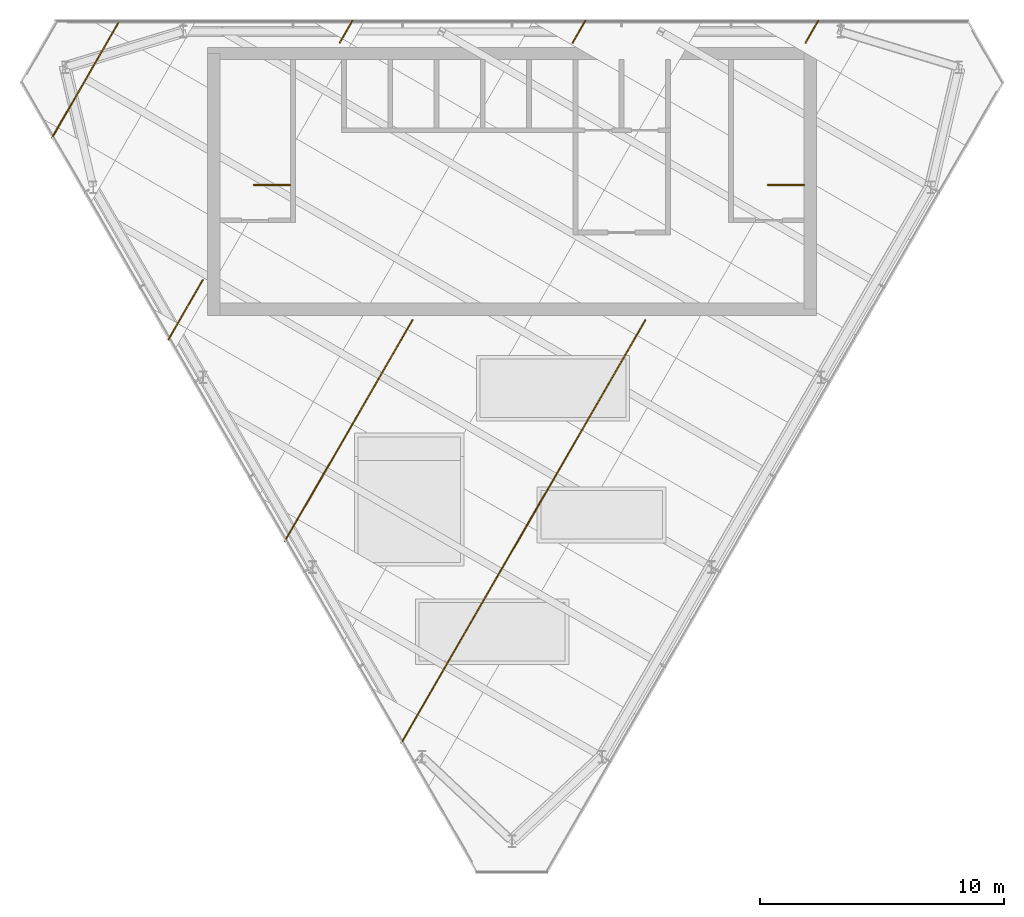
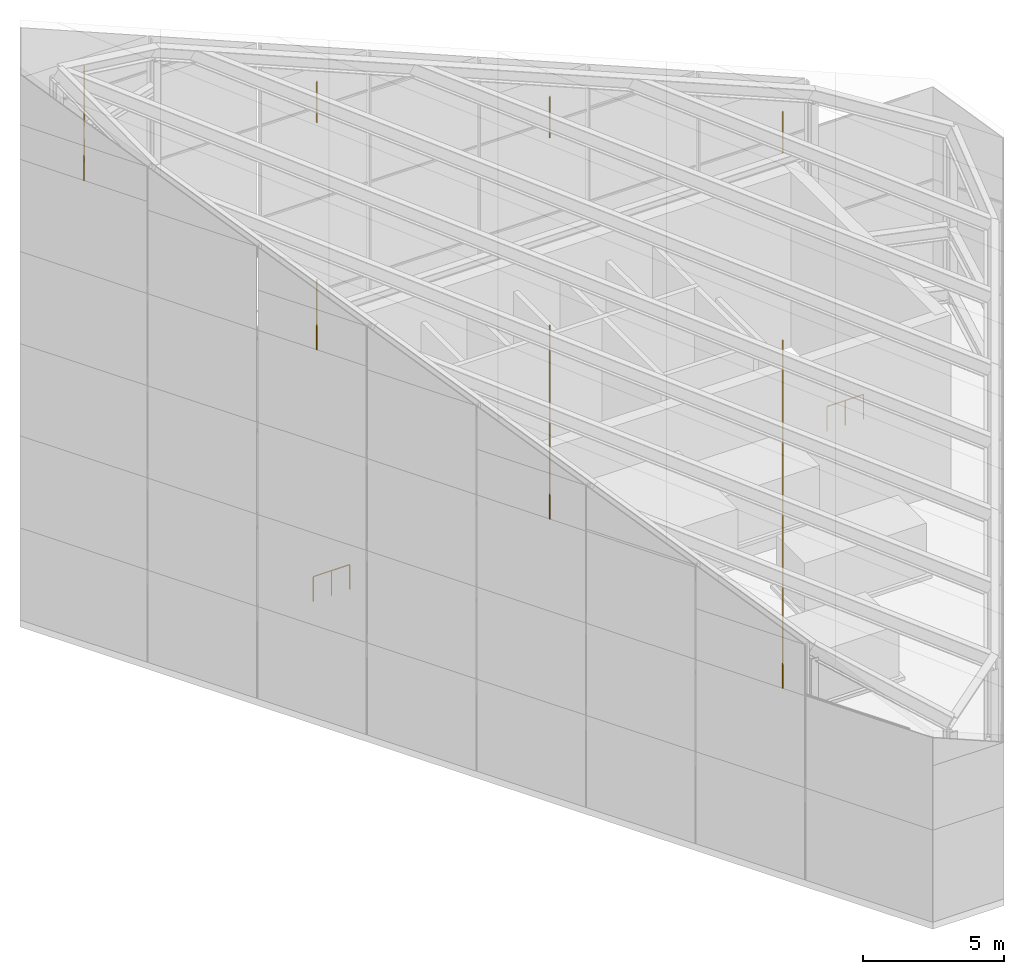
# One storey, part 15 of 16: 9 railings.
"""IFC4 building model written with IfcOpenShell, lengths in metres."""

from ifc_helpers import new_model, si_unit, direction, frame, origin, origin_2d, place, context, subcontext, project, spatial, circle, extrude, material, type_object, element, save


model = new_model("IFC4")

# Units and contexts
model_context = context("Model", 3, precision=1e-05, world=origin(), true_north=direction((0.0, 1.0)))
body_context = subcontext(model_context, "Body", "Model", "MODEL_VIEW")
ifc_project = project(units=[si_unit("LENGTHUNIT", "METRE"), si_unit("AREAUNIT", "SQUARE_METRE"), si_unit("VOLUMEUNIT", "CUBIC_METRE"), si_unit("PLANEANGLEUNIT", "RADIAN"), si_unit("MASSUNIT", "GRAM", prefix="KILO")], contexts=[model_context])

# Site, building, storey
site_placement = place(None, origin())
site = spatial("IfcSite", under=ifc_project, at=site_placement, CompositionType="ELEMENT")
building_placement = place(site_placement, origin())
building = spatial("IfcBuilding", under=site, at=building_placement, Name="Altiplano Prism Tower", CompositionType="ELEMENT")
storey_placement = place(building_placement, frame((0.0, 0.0, 358.0)))
storey = spatial("IfcBuildingStorey", under=building, at=storey_placement, Name="Crown", CompositionType="ELEMENT", Elevation=358.0)

# Railings
ifc_material = material(Name="Steel S355", Category="steel")
railing_type_1 = type_object("IfcRailingType", Name="Plant platform guard 1100", PredefinedType="GUARDRAIL", material=ifc_material)
railing_1_placement = place(storey_placement, frame((97.578857421875, 105.0, 8.0)))
element("IfcRailing", 1, at=railing_1_placement, inside=storey, type_object=railing_type_1, Name="Plant platform guard 2", PredefinedType="GUARDRAIL", context=body_context, shape_type="SweptSolid", body=[
    extrude(circle(Radius=0.02490234375, at=origin_2d()), frame((0.0, 0.0, 1.0751953125), z_axis=(-0.500156259758, -0.865935168373, 0.0), x_axis=(0.865935168373, -0.500156259758, 0.0)), (0.0, 0.0, 1.0), 1.039306640625),
    extrude(circle(Radius=0.02490234375, at=origin_2d()), origin(), (0.0, 0.0, 1.0), 1.050048828125),
    extrude(circle(Radius=0.02490234375, at=origin_2d()), frame((-0.519775390625, -0.89990234375, 0.0)), (0.0, 0.0, 1.0), 1.050048828125),
])
railing_2_placement = place(storey_placement, frame((90.477294921875, 92.699951171875, 8.0)))
element("IfcRailing", 2, at=railing_2_placement, inside=storey, type_object=railing_type_1, Name="Plant platform guard 2", PredefinedType="GUARDRAIL", context=body_context, shape_type="SweptSolid", body=[
    extrude(circle(Radius=0.02490234375, at=origin_2d()), frame((0.0, 0.0, 1.0751953125), z_axis=(-0.499995237402, -0.866028153454, 0.0), x_axis=(0.866028153454, -0.499995237402, 0.0)), (0.0, 0.0, 1.0), 20.039794921875),
    extrude(circle(Radius=0.02490234375, at=origin_2d()), origin(), (0.0, 0.0, 1.0), 1.050048828125),
    extrude(circle(Radius=0.02490234375, at=origin_2d()), frame((-0.58935546875, -1.02099609375, 0.0)), (0.0, 0.0, 1.0), 1.050048828125),
    extrude(circle(Radius=0.02490234375, at=origin_2d()), frame((-1.1787109375, -2.041748046875, 0.0)), (0.0, 0.0, 1.0), 1.050048828125),
    extrude(circle(Radius=0.02490234375, at=origin_2d()), frame((-1.768310546875, -3.062744140625, 0.0)), (0.0, 0.0, 1.0), 1.050048828125),
    extrude(circle(Radius=0.02490234375, at=origin_2d()), frame((-2.357666015625, -4.08349609375, 0.0)), (0.0, 0.0, 1.0), 1.050048828125),
    extrude(circle(Radius=0.02490234375, at=origin_2d()), frame((-2.947021484375, -5.1044921875, 0.0)), (0.0, 0.0, 1.0), 1.050048828125),
    extrude(circle(Radius=0.02490234375, at=origin_2d()), frame((-3.536376953125, -6.125244140625, 0.0)), (0.0, 0.0, 1.0), 1.050048828125),
    extrude(circle(Radius=0.02490234375, at=origin_2d()), frame((-4.125732421875, -7.146240234375, 0.0)), (0.0, 0.0, 1.0), 1.050048828125),
    extrude(circle(Radius=0.02490234375, at=origin_2d()), frame((-4.715087890625, -8.1669921875, 0.0)), (0.0, 0.0, 1.0), 1.050048828125),
    extrude(circle(Radius=0.02490234375, at=origin_2d()), frame((-5.3046875, -9.18798828125, 0.0)), (0.0, 0.0, 1.0), 1.050048828125),
    extrude(circle(Radius=0.02490234375, at=origin_2d()), frame((-5.89404296875, -10.208740234375, 0.0)), (0.0, 0.0, 1.0), 1.050048828125),
    extrude(circle(Radius=0.02490234375, at=origin_2d()), frame((-6.4833984375, -11.229736328125, 0.0)), (0.0, 0.0, 1.0), 1.050048828125),
    extrude(circle(Radius=0.02490234375, at=origin_2d()), frame((-7.07275390625, -12.25048828125, 0.0)), (0.0, 0.0, 1.0), 1.050048828125),
    extrude(circle(Radius=0.02490234375, at=origin_2d()), frame((-7.662109375, -13.271484375, 0.0)), (0.0, 0.0, 1.0), 1.050048828125),
    extrude(circle(Radius=0.02490234375, at=origin_2d()), frame((-8.25146484375, -14.292236328125, 0.0)), (0.0, 0.0, 1.0), 1.050048828125),
    extrude(circle(Radius=0.02490234375, at=origin_2d()), frame((-8.841064453125, -15.313232421875, 0.0)), (0.0, 0.0, 1.0), 1.050048828125),
    extrude(circle(Radius=0.02490234375, at=origin_2d()), frame((-9.430419921875, -16.333984375, 0.0)), (0.0, 0.0, 1.0), 1.050048828125),
    extrude(circle(Radius=0.02490234375, at=origin_2d()), frame((-10.019775390625, -17.35498046875, 0.0)), (0.0, 0.0, 1.0), 1.050048828125),
])
railing_3_placement = place(storey_placement, frame((88.015625, 105.0, 12.0)))
element("IfcRailing", 3, at=railing_3_placement, inside=storey, type_object=railing_type_1, Name="Plant platform guard 3", PredefinedType="GUARDRAIL", context=body_context, shape_type="SweptSolid", body=[
    extrude(circle(Radius=0.02490234375, at=origin_2d()), frame((0.0, 0.0, 1.0751953125), z_axis=(-0.500156259758, -0.865935168373, 0.0), x_axis=(0.865935168373, -0.500156259758, 0.0)), (0.0, 0.0, 1.0), 1.039306640625),
    extrude(circle(Radius=0.02490234375, at=origin_2d()), origin(), (0.0, 0.0, 1.0), 1.050048828125),
    extrude(circle(Radius=0.02490234375, at=origin_2d()), frame((-0.519775390625, -0.89990234375, 0.0)), (0.0, 0.0, 1.0), 1.050048828125),
])
railing_4_placement = place(storey_placement, frame((80.9140625, 92.699951171875, 12.0)))
element("IfcRailing", 4, at=railing_4_placement, inside=storey, type_object=railing_type_1, Name="Plant platform guard 3", PredefinedType="GUARDRAIL", context=body_context, shape_type="SweptSolid", body=[
    extrude(circle(Radius=0.02490234375, at=origin_2d()), frame((0.0, 0.0, 1.0751953125), z_axis=(-0.499998810582, -0.866026090494, 0.0), x_axis=(0.866026090494, -0.499998810582, 0.0)), (0.0, 0.0, 1.0), 10.4765625),
    extrude(circle(Radius=0.02490234375, at=origin_2d()), origin(), (0.0, 0.0, 1.0), 1.050048828125),
    extrude(circle(Radius=0.02490234375, at=origin_2d()), frame((-0.58203125, -1.008056640625, 0.0)), (0.0, 0.0, 1.0), 1.050048828125),
    extrude(circle(Radius=0.02490234375, at=origin_2d()), frame((-1.1640625, -2.01611328125, 0.0)), (0.0, 0.0, 1.0), 1.050048828125),
    extrude(circle(Radius=0.02490234375, at=origin_2d()), frame((-1.74609375, -3.0244140625, 0.0)), (0.0, 0.0, 1.0), 1.050048828125),
    extrude(circle(Radius=0.02490234375, at=origin_2d()), frame((-2.328125, -4.032470703125, 0.0)), (0.0, 0.0, 1.0), 1.050048828125),
    extrude(circle(Radius=0.02490234375, at=origin_2d()), frame((-2.91015625, -5.04052734375, 0.0)), (0.0, 0.0, 1.0), 1.050048828125),
    extrude(circle(Radius=0.02490234375, at=origin_2d()), frame((-3.4921875, -6.048583984375, 0.0)), (0.0, 0.0, 1.0), 1.050048828125),
    extrude(circle(Radius=0.02490234375, at=origin_2d()), frame((-4.07421875, -7.056884765625, 0.0)), (0.0, 0.0, 1.0), 1.050048828125),
    extrude(circle(Radius=0.02490234375, at=origin_2d()), frame((-4.65625, -8.06494140625, 0.0)), (0.0, 0.0, 1.0), 1.050048828125),
    extrude(circle(Radius=0.02490234375, at=origin_2d()), frame((-5.23828125, -9.072998046875, 0.0)), (0.0, 0.0, 1.0), 1.050048828125),
])
railing_5_placement = place(storey_placement, frame((78.452392578125, 105.0, 16.0)))
element("IfcRailing", 5, at=railing_5_placement, inside=storey, type_object=railing_type_1, Name="Plant platform guard 4", PredefinedType="GUARDRAIL", context=body_context, shape_type="SweptSolid", body=[
    extrude(circle(Radius=0.02490234375, at=origin_2d()), frame((0.0, 0.0, 1.0751953125), z_axis=(-0.500156259758, -0.865935168373, 0.0), x_axis=(0.865935168373, -0.500156259758, 0.0)), (0.0, 0.0, 1.0), 1.039306640625),
    extrude(circle(Radius=0.02490234375, at=origin_2d()), origin(), (0.0, 0.0, 1.0), 1.050048828125),
    extrude(circle(Radius=0.02490234375, at=origin_2d()), frame((-0.519775390625, -0.89990234375, 0.0)), (0.0, 0.0, 1.0), 1.050048828125),
])
railing_6_placement = place(storey_placement, frame((72.300048828125, 94.343994140625, 16.0)))
element("IfcRailing", 6, at=railing_6_placement, inside=storey, type_object=railing_type_1, Name="Plant platform guard 4", PredefinedType="GUARDRAIL", context=body_context, shape_type="SweptSolid", body=[
    extrude(circle(Radius=0.02490234375, at=origin_2d()), frame((0.0, 0.0, 1.0751953125), z_axis=(-0.499967986367, -0.866043886075, 0.0), x_axis=(0.866043886075, -0.499967986367, 0.0)), (0.0, 0.0, 1.0), 2.811767578125),
    extrude(circle(Radius=0.02490234375, at=origin_2d()), origin(), (0.0, 0.0, 1.0), 1.050048828125),
    extrude(circle(Radius=0.02490234375, at=origin_2d()), frame((-0.468505859375, -0.811767578125, 0.0)), (0.0, 0.0, 1.0), 1.050048828125),
    extrude(circle(Radius=0.02490234375, at=origin_2d()), frame((-0.937255859375, -1.623291015625, 0.0)), (0.0, 0.0, 1.0), 1.050048828125),
    extrude(circle(Radius=0.02490234375, at=origin_2d()), frame((-1.40576171875, -2.43505859375, 0.0)), (0.0, 0.0, 1.0), 1.050048828125),
])
railing_7_placement = place(storey_placement, frame((68.88916015625, 105.0, 20.0)))
element("IfcRailing", 7, at=railing_7_placement, inside=storey, type_object=railing_type_1, Name="Plant platform guard 5", PredefinedType="GUARDRAIL", context=body_context, shape_type="SweptSolid", body=[
    extrude(circle(Radius=0.02490234375, at=origin_2d()), frame((0.0, 0.0, 1.0751953125), z_axis=(-0.500011685716, -0.866018656928, 0.0), x_axis=(0.866018656928, -0.500011685716, 0.0)), (0.0, 0.0, 1.0), 5.552978515625),
    extrude(circle(Radius=0.02490234375, at=origin_2d()), origin(), (0.0, 0.0, 1.0), 1.050048828125),
    extrude(circle(Radius=0.02490234375, at=origin_2d()), frame((-0.555419921875, -0.9619140625, 0.0)), (0.0, 0.0, 1.0), 1.050048828125),
    extrude(circle(Radius=0.02490234375, at=origin_2d()), frame((-1.110595703125, -1.923583984375, 0.0)), (0.0, 0.0, 1.0), 1.050048828125),
    extrude(circle(Radius=0.02490234375, at=origin_2d()), frame((-1.666015625, -2.885498046875, 0.0)), (0.0, 0.0, 1.0), 1.050048828125),
    extrude(circle(Radius=0.02490234375, at=origin_2d()), frame((-2.22119140625, -3.84716796875, 0.0)), (0.0, 0.0, 1.0), 1.050048828125),
    extrude(circle(Radius=0.02490234375, at=origin_2d()), frame((-2.776611328125, -4.80908203125, 0.0)), (0.0, 0.0, 1.0), 1.050048828125),
])
railing_type_2 = type_object("IfcRailingType", Name="Stair guard 1100", PredefinedType="GUARDRAIL", material=ifc_material)
for number, where, name in (
    (8, (75.89990234375, 98.25, 0.0), "Crown ST1 top well guard 1"),
    (9, (97.0, 98.25, 0.0), "Crown ST2 top well guard 1"),
):
    element("IfcRailing", number, at=place(storey_placement, frame(where)), inside=storey, type_object=railing_type_2, Name=name, PredefinedType="GUARDRAIL", context=body_context, shape_type="SweptSolid", body=[
        extrude(circle(Radius=0.02392578125, at=origin_2d()), frame((0.0, 0.0, 1.076171875), z_axis=(-1.0, 0.0, 0.0), x_axis=(0.0, -1.0, 0.0)), (0.0, 0.0, 1.0), 1.5),
        extrude(circle(Radius=0.02099609375, at=origin_2d()), origin(), (0.0, 0.0, 1.0), 1.052001953125),
        extrude(circle(Radius=0.02099609375, at=origin_2d()), frame((-0.75, 0.0, 0.0)), (0.0, 0.0, 1.0), 1.052001953125),
        extrude(circle(Radius=0.02099609375, at=origin_2d()), frame((-1.5, 0.0, 0.0)), (0.0, 0.0, 1.0), 1.052001953125),
    ])

save(model, "model.ifc")
